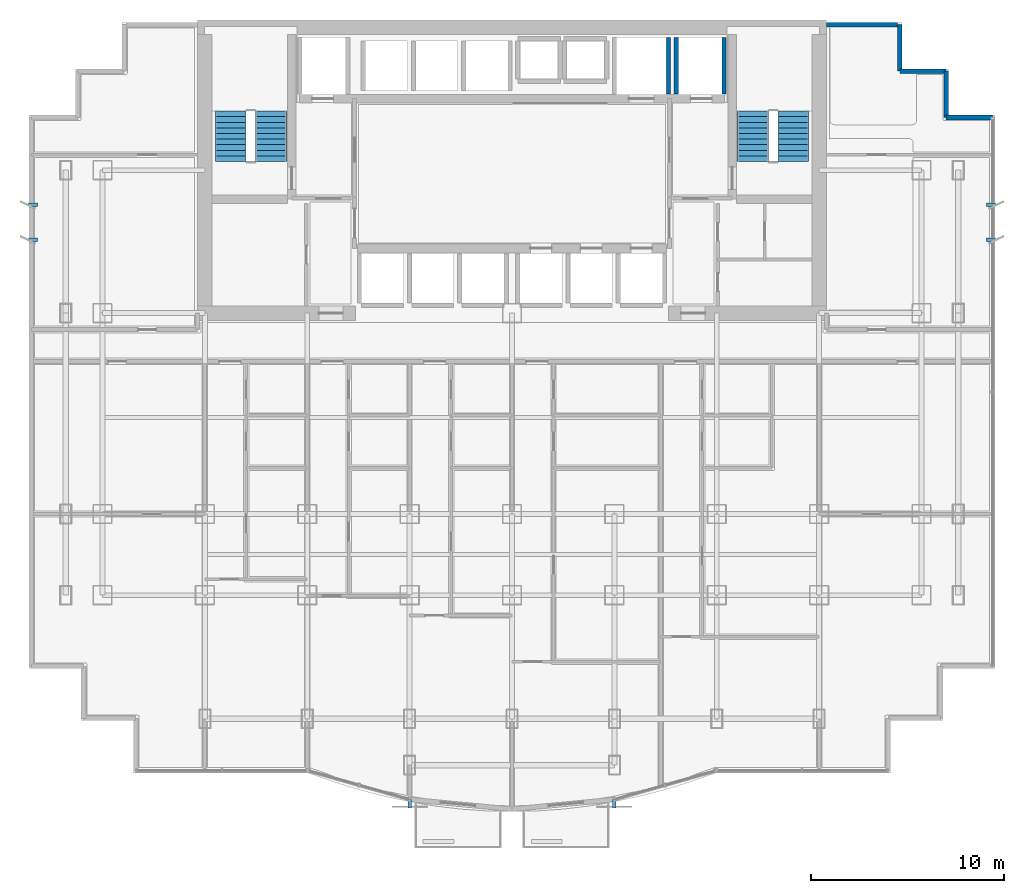
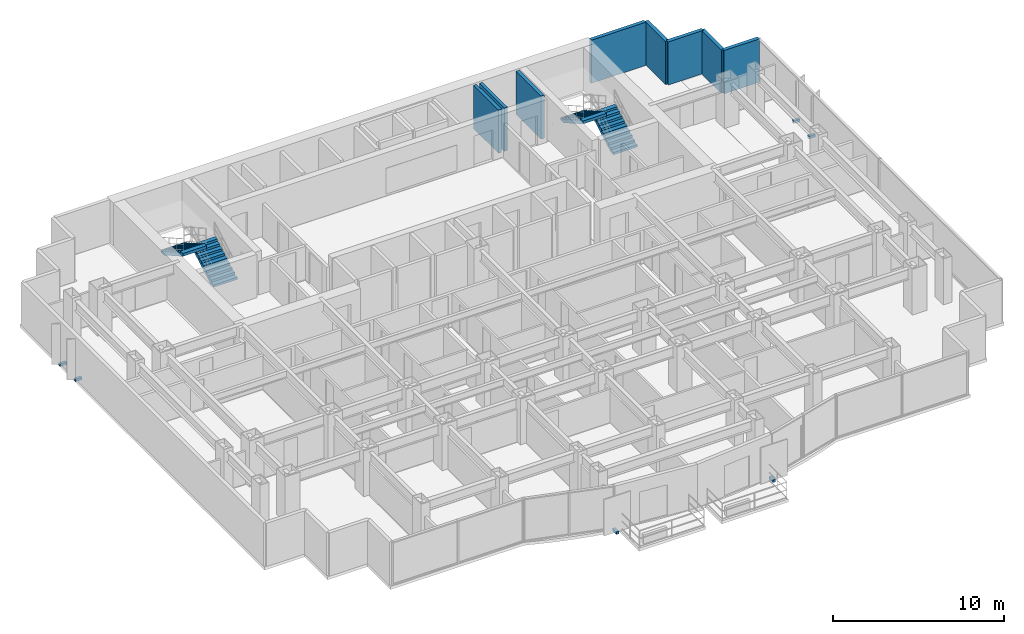
# One storey, part 10 of 12: 8 walls, 6 discrete accessories, 4 stair flights, 2 elements without a shape of their own.
"""IFC4 building model written with IfcOpenShell, lengths in metres."""

from ifc_helpers import new_model, si_unit, direction, frame, frame_2d, origin, origin_2d, place, context, subcontext, project, spatial, polyline, rectangle, outline, extrude, source, transform, mapped, material, layer, layer_set, type_object, element, aggregate, save


model = new_model("IFC4")

# Units and contexts
model_context = context("Model", 3, precision=1e-05, world=origin(), true_north=direction((0.0, 1.0)))
body_context = subcontext(model_context, "Body", "Model", "MODEL_VIEW")
ifc_project = project(units=[si_unit("LENGTHUNIT", "METRE"), si_unit("AREAUNIT", "SQUARE_METRE"), si_unit("VOLUMEUNIT", "CUBIC_METRE"), si_unit("PLANEANGLEUNIT", "RADIAN"), si_unit("MASSUNIT", "GRAM", prefix="KILO")], contexts=[model_context])

# Site, building, storey
site_placement = place(None, origin())
site = spatial("IfcSite", under=ifc_project, at=site_placement, CompositionType="ELEMENT")
building_placement = place(site_placement, origin())
building = spatial("IfcBuilding", under=site, at=building_placement, Name="Qianlan Lanfeng Residences", CompositionType="ELEMENT")
storey_placement = place(building_placement, frame((0.0, 0.0, 81.699951171875)))
storey = spatial("IfcBuildingStorey", under=building, at=storey_placement, Name="L21", CompositionType="ELEMENT", Elevation=81.699951171875)

# Walls
ifc_material_1 = material(Name="Concrete C42", Category="concrete")
ifc_layer_1 = layer(ifc_material_1, 0.239990234375)
ifc_layer_set_1 = layer_set([ifc_layer_1], Name="Concrete C42")
wall_type_1 = type_object("IfcWallType", Name="EW-240", PredefinedType="SOLIDWALL", material=ifc_layer_set_1)
for number, where, z_axis, x_axis, name in (
    (1, (51.3798828125, 35.330078125, 0.0), (0.0, 0.0, 1.0), (-1.0, 0.0, 0.0), "L21 Exterior Facade Spandrel Wall 11"),
    (2, (48.97998046875, 35.330078125, 0.0), (0.0, 0.0, 1.0), (0.0, 1.0, 0.0), "L21 Exterior Facade Spandrel Wall 12"),
    (3, (48.97998046875, 37.72998046875, 0.0), (0.0, 0.0, 1.0), (-1.0, 0.0, 0.0), "L21 Exterior Facade Spandrel Wall 13"),
    (4, (46.580078125, 37.72998046875, 0.0), (0.0, 0.0, 1.0), (0.0, 1.0, 0.0), "L21 Exterior Facade Spandrel Wall 14"),
):
    element("IfcWall", number, at=place(storey_placement, frame(where, z_axis=z_axis, x_axis=x_axis)), inside=storey, type_object=wall_type_1, Name=name, PredefinedType="SOLIDWALL", context=body_context, shape_type="SweptSolid", body=[
        extrude(rectangle(XDim=2.39990234375, YDim=0.239990234375, at=frame_2d((1.199951171875, 0.0))), origin(), (0.0, 0.0, 1.0), 3.090087890625),
    ])
wall_placement = place(storey_placement, frame((46.449951171875, 40.1298828125, 0.0), z_axis=(0.0, 0.0, 1.0), x_axis=(-1.0, 0.0, 0.0)))
element("IfcWall", 5, at=wall_placement, inside=storey, type_object=wall_type_1, Name="L21 North Wing Exterior Wall E", PredefinedType="SOLIDWALL", context=body_context, shape_type="SweptSolid", body=[
    extrude(rectangle(XDim=3.675048828125, YDim=0.239990234375, at=frame_2d((1.83740234375, 0.0))), origin(), (0.0, 0.0, 1.0), 3.090087890625),
])
ifc_material_2 = material(Name="Concrete C49", Category="concrete")
ifc_layer_2 = layer(ifc_material_2, 0.219970703125)
ifc_layer_set_2 = layer_set([ifc_layer_2], Name="Concrete C49")
wall_type_2 = type_object("IfcWallType", Name="SHW-220", PredefinedType="SOLIDWALL", material=ifc_layer_set_2)
for number, where, z_axis, x_axis, name in (
    (6, (35.0, 36.550048828125, 0.0), (0.0, 0.0, 1.0), (0.0, 1.0, 0.0), "L21 Lift FFL-2 Shaft Wall W"),
    (7, (37.47998046875, 36.550048828125, 0.0), (0.0, 0.0, 1.0), (0.0, 1.0, 0.0), "L21 Lift FFL-2 Shaft Wall E"),
    (8, (34.60009765625, 36.550048828125, 0.0), (0.0, 0.0, 1.0), (0.0, 1.0, 0.0), "L21 Lift SVL-1 Shaft Wall E"),
):
    element("IfcWall", number, at=place(storey_placement, frame(where, z_axis=z_axis, x_axis=x_axis)), inside=storey, type_object=wall_type_2, Name=name, PredefinedType="SOLIDWALL", context=body_context, shape_type="SweptSolid", body=[
        extrude(rectangle(XDim=2.929931640625, YDim=0.219970703125, at=frame_2d((1.46484375, 0.0))), origin(), (0.0, 0.0, 1.0), 3.090087890625),
    ])

# Stair, stair flights
stair_type = type_object("IfcStairType", Name="STR-MAIN", PredefinedType="HALF_TURN_STAIR", material=ifc_material_1)
stair_1_placement = place(storey_placement, origin())
stair_1 = element("IfcStair", 9, at=stair_1_placement, inside=storey, type_object=stair_type, Name="L21 Exit Stair ST-1", PredefinedType="HALF_TURN_STAIR")
stair_flight_type = type_object("IfcStairFlightType", Name="FLT-1720", PredefinedType="STRAIGHT", material=ifc_material_1)
stair_flight_1_placement = place(storey_placement, frame((14.02001953125, 33.050048828125, 0.0), z_axis=(0.0, 0.0, 1.0), x_axis=(0.0, 1.0, 0.0)))
stair_flight_1 = element("IfcStairFlight", 10, at=stair_flight_1_placement, type_object=stair_flight_type, Name="ST-1 flight 1", NumberOfRisers=10, NumberOfTreads=9, PredefinedType="STRAIGHT", RiserHeight=0.165, TreadLength=0.29, context=body_context, shape_type="SweptSolid", body=[
    extrude(outline(polyline([(0.0, 0.0), (0.0, 0.1650390625), (0.2900390625, 0.1650390625), (0.2900390625, 0.330078125), (0.580078125, 0.330078125), (0.580078125, 0.4951171875), (0.8701171875, 0.4951171875), (0.8701171875, 0.659912109375), (1.159912109375, 0.659912109375), (1.159912109375, 0.824951171875), (1.449951171875, 0.824951171875), (1.449951171875, 0.989990234375), (1.739990234375, 0.989990234375), (1.739990234375, 1.155029296875), (2.030029296875, 1.155029296875), (2.030029296875, 1.320068359375), (2.320068359375, 1.320068359375), (2.320068359375, 1.485107421875), (2.610107421875, 1.485107421875), (2.610107421875, 1.64990234375), (2.610107421875, 1.278076171875), (0.36376953125, 0.0), (0.0, 0.0)])), frame((0.0, 0.800048828125, 0.0), z_axis=(0.0, -1.0, 0.0), x_axis=(1.0, 0.0, 0.0)), (0.0, 0.0, 1.0), 1.60009765625),
])
stair_flight_2_placement = place(storey_placement, frame((11.93994140625, 35.659912109375, 1.650146484375), z_axis=(0.0, 0.0, 1.0), x_axis=(0.0, -1.0, 0.0)))
stair_flight_2 = element("IfcStairFlight", 11, at=stair_flight_2_placement, type_object=stair_flight_type, Name="ST-1 flight 2", NumberOfRisers=10, NumberOfTreads=9, PredefinedType="STRAIGHT", RiserHeight=0.165, TreadLength=0.29, context=body_context, shape_type="SweptSolid", body=[
    extrude(outline(polyline([(0.0, 0.0), (0.0, 0.1650390625), (0.2900390625, 0.1650390625), (0.2900390625, 0.330078125), (0.580078125, 0.330078125), (0.580078125, 0.4951171875), (0.8701171875, 0.4951171875), (0.8701171875, 0.659912109375), (1.159912109375, 0.659912109375), (1.159912109375, 0.824951171875), (1.449951171875, 0.824951171875), (1.449951171875, 0.989990234375), (1.739990234375, 0.989990234375), (1.739990234375, 1.155029296875), (2.030029296875, 1.155029296875), (2.030029296875, 1.320068359375), (2.320068359375, 1.320068359375), (2.320068359375, 1.485107421875), (2.610107421875, 1.485107421875), (2.610107421875, 1.64990234375), (2.610107421875, 1.278076171875), (0.36376953125, 0.0), (0.0, 0.0)])), frame((0.0, 0.800048828125, 0.0), z_axis=(0.0, -1.0, 0.0), x_axis=(1.0, 0.0, 0.0)), (0.0, 0.0, 1.0), 1.60009765625),
])
aggregate(stair_1, [stair_flight_1, stair_flight_2])

stair_2_placement = place(storey_placement, origin())
stair_2 = element("IfcStair", 12, at=stair_2_placement, inside=storey, type_object=stair_type, Name="L21 Exit Stair ST-2", PredefinedType="HALF_TURN_STAIR")
stair_flight_3_placement = place(storey_placement, frame((41.06005859375, 33.050048828125, 0.0), z_axis=(0.0, 0.0, 1.0), x_axis=(0.0, 1.0, 0.0)))
stair_flight_3 = element("IfcStairFlight", 13, at=stair_flight_3_placement, type_object=stair_flight_type, Name="ST-2 flight 1", NumberOfRisers=10, NumberOfTreads=9, PredefinedType="STRAIGHT", RiserHeight=0.165, TreadLength=0.29, context=body_context, shape_type="SweptSolid", body=[
    extrude(outline(polyline([(0.0, 0.0), (0.0, 0.1650390625), (0.2900390625, 0.1650390625), (0.2900390625, 0.330078125), (0.580078125, 0.330078125), (0.580078125, 0.4951171875), (0.8701171875, 0.4951171875), (0.8701171875, 0.659912109375), (1.159912109375, 0.659912109375), (1.159912109375, 0.824951171875), (1.449951171875, 0.824951171875), (1.449951171875, 0.989990234375), (1.739990234375, 0.989990234375), (1.739990234375, 1.155029296875), (2.030029296875, 1.155029296875), (2.030029296875, 1.320068359375), (2.320068359375, 1.320068359375), (2.320068359375, 1.485107421875), (2.610107421875, 1.485107421875), (2.610107421875, 1.64990234375), (2.610107421875, 1.278076171875), (0.36376953125, 0.0), (0.0, 0.0)])), frame((0.0, 0.800048828125, 0.0), z_axis=(0.0, -1.0, 0.0), x_axis=(1.0, 0.0, 0.0)), (0.0, 0.0, 1.0), 1.60009765625),
])
stair_flight_4_placement = place(storey_placement, frame((38.97998046875, 35.659912109375, 1.650146484375), z_axis=(0.0, 0.0, 1.0), x_axis=(0.0, -1.0, 0.0)))
stair_flight_4 = element("IfcStairFlight", 14, at=stair_flight_4_placement, type_object=stair_flight_type, Name="ST-2 flight 2", NumberOfRisers=10, NumberOfTreads=9, PredefinedType="STRAIGHT", RiserHeight=0.165, TreadLength=0.29, context=body_context, shape_type="SweptSolid", body=[
    extrude(outline(polyline([(0.0, 0.0), (0.0, 0.1650390625), (0.2900390625, 0.1650390625), (0.2900390625, 0.330078125), (0.580078125, 0.330078125), (0.580078125, 0.4951171875), (0.8701171875, 0.4951171875), (0.8701171875, 0.659912109375), (1.159912109375, 0.659912109375), (1.159912109375, 0.824951171875), (1.449951171875, 0.824951171875), (1.449951171875, 0.989990234375), (1.739990234375, 0.989990234375), (1.739990234375, 1.155029296875), (2.030029296875, 1.155029296875), (2.030029296875, 1.320068359375), (2.320068359375, 1.320068359375), (2.320068359375, 1.485107421875), (2.610107421875, 1.485107421875), (2.610107421875, 1.64990234375), (2.610107421875, 1.278076171875), (0.36376953125, 0.0), (0.0, 0.0)])), frame((0.0, 0.800048828125, 0.0), z_axis=(0.0, -1.0, 0.0), x_axis=(1.0, 0.0, 0.0)), (0.0, 0.0, 1.0), 1.60009765625),
])
aggregate(stair_2, [stair_flight_3, stair_flight_4])

# Discrete accessories
ifc_material_3 = material(Name="Stainless Steel Facade Bracket", Category="steel")
discrete_accessory_type = type_object("IfcDiscreteAccessoryType", Name="BRK-SS-350", PredefinedType="BRACKET", material=ifc_material_3)
shared_shape_1 = source(origin(), body_context, "Body", "SweptSolid", [
    extrude(rectangle(XDim=0.179931640625, YDim=0.449951171875, at=origin_2d()), origin(), (0.0, 0.0, 1.0), 0.179931640625),
])
for number, where, z_axis, x_axis, name in (
    (15, (21.199951171875, -0.199951171875, -0.14990234375), (0.0, 0.0, 1.0), (1.0, 0.0, 0.0), "L21 Solar Screen Support Bracket 1"),
    (16, (31.800048828125, -0.199951171875, -0.14990234375), (0.0, 0.0, 1.0), (1.0, 0.0, 0.0), "L21 Solar Screen Support Bracket 2"),
):
    element("IfcDiscreteAccessory", number, at=place(storey_placement, frame(where, z_axis=z_axis, x_axis=x_axis)), inside=storey, type_object=discrete_accessory_type, Name=name, PredefinedType="BRACKET", context=body_context, shape_type="MappedRepresentation", body=[
        mapped(shared_shape_1, transform((0.0, 0.0, 0.0), scale=1.0)),
    ])
shared_shape_2 = source(origin(), body_context, "Body", "SweptSolid", [
    extrude(rectangle(XDim=0.449951171875, YDim=0.179931640625, at=origin_2d()), origin(), (0.0, 0.0, 1.0), 0.179931640625),
])
for number, where, z_axis, x_axis, name in (
    (17, (1.699951171875, 29.0, -0.14990234375), (0.0, 0.0, 1.0), (1.0, 0.0, 0.0), "L21 Raked Solar Fin Support Bracket W1"),
    (18, (1.699951171875, 30.800048828125, -0.14990234375), (0.0, 0.0, 1.0), (1.0, 0.0, 0.0), "L21 Raked Solar Fin Support Bracket W2"),
    (19, (51.300048828125, 29.0, -0.14990234375), (0.0, 0.0, 1.0), (1.0, 0.0, 0.0), "L21 Raked Solar Fin Support Bracket E1"),
    (20, (51.300048828125, 30.800048828125, -0.14990234375), (0.0, 0.0, 1.0), (1.0, 0.0, 0.0), "L21 Raked Solar Fin Support Bracket E2"),
):
    element("IfcDiscreteAccessory", number, at=place(storey_placement, frame(where, z_axis=z_axis, x_axis=x_axis)), inside=storey, type_object=discrete_accessory_type, Name=name, PredefinedType="BRACKET", context=body_context, shape_type="MappedRepresentation", body=[
        mapped(shared_shape_2, transform((0.0, 0.0, 0.0), scale=1.0)),
    ])

save(model, "model.ifc")
